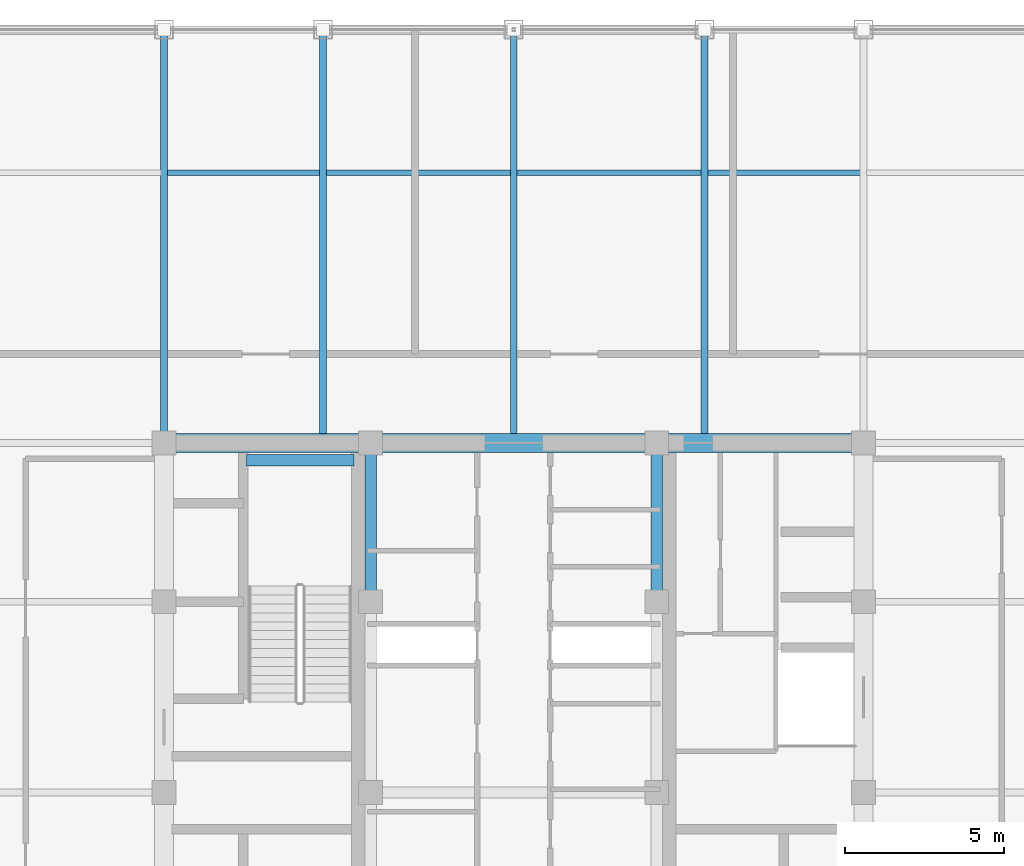
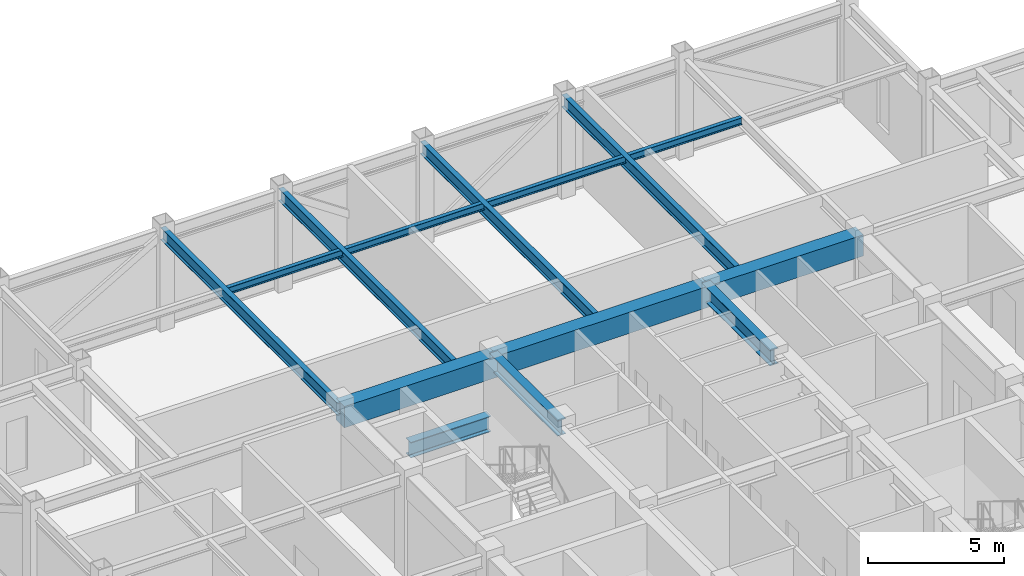
# One storey, part 15 of 27: 11 beams.
"""IFC4 building model written with IfcOpenShell, lengths in metres."""

import ifcopenshell
import ifcopenshell.guid

model = None  # the IFC model being written
_history = None  # IfcOwnerHistory: only IFC2X3 demands one
_inside = {}  # id of a spatial element -> (the spatial element, [elements in it])
_under = {}  # id of a project, library or spatial element -> (it, [spatial elements below it])
_declared = {}  # id of a project -> (the project, [libraries it declares])
_typed = {}  # id of a type object -> (the type object, [elements of that type])
_made_of = {}  # id of a material, layer set ... -> (it, [elements and type objects made of it])


def new_model(schema):
    """Start an empty IFC model of exactly this schema.

    Asked for "IFC4X3", IfcOpenShell would pick the latest addendum, in which some entities
    have other attributes; the version numbers below select the first issue.
    IFC2X3 requires an IfcOwnerHistory on every rooted entity: one is made here for all.
    """
    global model, _history
    if schema == "IFC4X3":
        model = ifcopenshell.file(schema_version=(4, 3, 0, 0))
    else:
        model = ifcopenshell.file(schema=schema)
    _inside.clear()
    _under.clear()
    _declared.clear()
    _typed.clear()
    _made_of.clear()
    _history = None
    if model.schema == "IFC2X3":
        org = make("IfcOrganization", Name="unknown")
        user = make(
            "IfcPersonAndOrganization",
            ThePerson=make("IfcPerson", FamilyName="unknown"),
            TheOrganization=org,
        )
        app = make(
            "IfcApplication",
            ApplicationDeveloper=org,
            Version="unknown",
            ApplicationFullName="unknown",
            ApplicationIdentifier="unknown",
        )
        _history = make(
            "IfcOwnerHistory",
            OwningUser=user,
            OwningApplication=app,
            ChangeAction="ADDED",
            CreationDate=0,
        )
    return model


def make(cls, **values):
    """One entity of the class cls with the attributes given. An attribute that is None is left unset."""
    return model.create_entity(
        cls, **{name: value for name, value in values.items() if value is not None}
    )


def rooted(cls, **values):
    """An entity with a GlobalId (a new one), such as an element, a storey or a relation."""
    return make(cls, GlobalId=ifcopenshell.guid.new(), OwnerHistory=_history, **values)


def si_unit(unit_type, name, prefix=None):
    """IfcSIUnit, for example si_unit("LENGTHUNIT", "METRE", prefix="MILLI")."""
    return make("IfcSIUnit", UnitType=unit_type, Prefix=prefix, Name=name)


def assignment(units):
    """IfcUnitAssignment: the units of a project."""
    return None if units is None else make("IfcUnitAssignment", Units=units)


def point(xyz):
    """IfcCartesianPoint."""
    return None if xyz is None else make("IfcCartesianPoint", Coordinates=xyz)


def direction(xyz):
    """IfcDirection."""
    return None if xyz is None else make("IfcDirection", DirectionRatios=xyz)


def frame(location, z_axis=None, x_axis=None):
    """IfcAxis2Placement3D, a coordinate frame: its origin and axes. An axis left out is left unset."""
    return make(
        "IfcAxis2Placement3D",
        Location=point(location),
        Axis=direction(z_axis),
        RefDirection=direction(x_axis),
    )


def frame_2d(location, x_axis=None):
    """IfcAxis2Placement2D, a coordinate frame in the plane: its origin and x axis."""
    return make(
        "IfcAxis2Placement2D", Location=point(location), RefDirection=direction(x_axis)
    )


def origin():
    """The frame at (0, 0, 0) with its axes left unset."""
    return frame((0.0, 0.0, 0.0))


def origin_2d():
    """The frame at (0, 0) in the plane with its x axis left unset."""
    return frame_2d((0.0, 0.0))


def place(relative_to, where):
    """IfcLocalPlacement: puts the frame where relative to a parent placement (None: the world)."""
    return make(
        "IfcLocalPlacement", PlacementRelTo=relative_to, RelativePlacement=where
    )


def context(
    kind, dimensions, precision=None, world=None, true_north=None, identifier=None
):
    """IfcGeometricRepresentationContext, for example the 3D "Model" context."""
    return make(
        "IfcGeometricRepresentationContext",
        ContextIdentifier=identifier,
        ContextType=kind,
        CoordinateSpaceDimension=dimensions,
        Precision=precision,
        WorldCoordinateSystem=world,
        TrueNorth=true_north,
    )


def subcontext(parent, identifier, kind, view, scale=None):
    """IfcGeometricRepresentationSubContext, for example "Body" below "Model"."""
    return make(
        "IfcGeometricRepresentationSubContext",
        ContextIdentifier=identifier,
        ContextType=kind,
        ParentContext=parent,
        TargetScale=scale,
        TargetView=view,
    )


def project(units=None, contexts=None):
    """IfcProject with its units and contexts."""
    return rooted(
        "IfcProject",
        Name="project",
        RepresentationContexts=contexts,
        UnitsInContext=assignment(units),
    )


def spatial(cls, under=None, at=None, **own):
    """A site, building, storey or space (cls), placed at a placement, below another one or the project."""
    s = rooted(cls, ObjectPlacement=at, **own)
    if under is not None:
        _under.setdefault(under.id(), (under, []))[1].append(s)
    return s


def profile(cls, at=None, kind="AREA", **sizes):
    """A parametric profile (cls). Its sizes go by their IFC names, for example OverallWidth=200.0."""
    return make(cls, ProfileType=kind, Position=at, **sizes)


def rectangle(**sizes):
    """IfcRectangleProfileDef."""
    return profile("IfcRectangleProfileDef", **sizes)


def i_section(**sizes):
    """IfcIShapeProfileDef."""
    return profile("IfcIShapeProfileDef", **sizes)


def extrude(swept, where, along, depth):
    """IfcExtrudedAreaSolid: the profile swept, set in the frame where, extruded along a direction by depth."""
    return make(
        "IfcExtrudedAreaSolid",
        SweptArea=swept,
        Position=where,
        ExtrudedDirection=direction(along),
        Depth=depth,
    )


def shape(context_of_items, identifier, shape_type, items):
    """IfcShapeRepresentation: the items that make up one representation, for example the "Body"."""
    return make(
        "IfcShapeRepresentation",
        ContextOfItems=context_of_items,
        RepresentationIdentifier=identifier,
        RepresentationType=shape_type,
        Items=items,
    )


def source(mapping_origin, context_of_items, identifier, shape_type, items):
    """IfcRepresentationMap: a shape defined once, which mapped items show again and again."""
    return make(
        "IfcRepresentationMap",
        MappingOrigin=mapping_origin,
        MappedRepresentation=shape(context_of_items, identifier, shape_type, items),
    )


def transform(
    local_origin,
    x_axis=None,
    y_axis=None,
    z_axis=None,
    scale=None,
    scale2=None,
    scale3=None,
    uniform=True,
):
    """IfcCartesianTransformationOperator3D, or its non-uniform kind. x_axis, y_axis, z_axis: its Axis1, 2, 3."""
    if uniform:
        return make(
            "IfcCartesianTransformationOperator3D",
            Axis1=direction(x_axis),
            Axis2=direction(y_axis),
            LocalOrigin=point(local_origin),
            Scale=scale,
            Axis3=direction(z_axis),
        )
    return make(
        "IfcCartesianTransformationOperator3DnonUniform",
        Axis1=direction(x_axis),
        Axis2=direction(y_axis),
        LocalOrigin=point(local_origin),
        Scale=scale,
        Axis3=direction(z_axis),
        Scale2=scale2,
        Scale3=scale3,
    )


def mapped(mapping_source, mapping_target):
    """IfcMappedItem: shows the shape of a source again, moved by a transform."""
    return make(
        "IfcMappedItem", MappingSource=mapping_source, MappingTarget=mapping_target
    )


def material(Name=None, Category=None):
    """IfcMaterial."""
    return make("IfcMaterial", Name=Name, Category=Category)


def material_profile(
    of_material, cross_section, Name=None, Category=None, Priority=None
):
    """IfcMaterialProfile: a cross section and its material."""
    return make(
        "IfcMaterialProfile",
        Name=Name,
        Material=of_material,
        Profile=cross_section,
        Priority=Priority,
        Category=Category,
    )


def profile_set(profiles, Name=None, composite=None):
    """IfcMaterialProfileSet."""
    return make(
        "IfcMaterialProfileSet",
        Name=Name,
        MaterialProfiles=profiles,
        CompositeProfile=composite,
    )


def made_of(thing, what):
    """Note that an element or type object is made of a material, layer set ...; save() writes the relation."""
    if what is not None:
        _made_of.setdefault(what.id(), (what, []))[1].append(thing)
    return thing


def type_object(cls, material=None, **own):
    """A type object (cls), such as IfcWallType, which elements share."""
    return made_of(rooted(cls, **own), material)


def element(
    cls,
    number,
    at=None,
    inside=None,
    cuts=None,
    type_object=None,
    material=None,
    context=None,
    identifier="Body",
    shape_type=None,
    held_by="IfcProductDefinitionShape",
    body=None,
    shapes=None,
    **own,
):
    """One element of the class cls, such as IfcWall. Its Tag is "e" and its number.

    at: its placement. inside: the storey or other place that contains it. cuts: it is an
    opening in that element (IfcRelVoidsElement). A single representation is given by context,
    identifier, shape_type and body (its items); several are given by shapes. held_by: the class
    of the entity that holds the representations. save() writes the other relations.
    """
    e = rooted(cls, Tag="e%d" % number, ObjectPlacement=at, **own)
    if body is not None:
        shapes = [shape(context, identifier, shape_type, body)]
    if shapes is not None:
        e.Representation = make(held_by, Representations=shapes)
    if inside is not None:
        _inside.setdefault(inside.id(), (inside, []))[1].append(e)
    if cuts is not None:
        rooted(
            "IfcRelVoidsElement", RelatingBuildingElement=cuts, RelatedOpeningElement=e
        )
    if type_object is not None:
        _typed.setdefault(type_object.id(), (type_object, []))[1].append(e)
    return made_of(e, material)


def aggregate(whole, parts):
    """IfcRelAggregates: a whole, such as a stair, and the parts it consists of."""
    return rooted("IfcRelAggregates", RelatingObject=whole, RelatedObjects=parts)


def save(model, path):
    """Write the relations noted so far, then the file.

    IfcRelAggregates (storeys below a building ...), IfcRelContainedInSpatialStructure (elements
    in a storey), IfcRelDefinesByType, IfcRelAssociatesMaterial and IfcRelDeclares: one each for
    every whole, place, type object, material and project.
    """
    for whole, parts in _under.values():
        aggregate(whole, parts)
    for where, things in _inside.values():
        rooted(
            "IfcRelContainedInSpatialStructure",
            RelatedElements=things,
            RelatingStructure=where,
        )
    for kind, things in _typed.values():
        rooted("IfcRelDefinesByType", RelatedObjects=things, RelatingType=kind)
    for what, things in _made_of.values():
        rooted("IfcRelAssociatesMaterial", RelatedObjects=things, RelatingMaterial=what)
    for by, libraries in _declared.values():
        rooted("IfcRelDeclares", RelatingContext=by, RelatedDefinitions=libraries)
    model.write(path)


model = new_model("IFC4")

# Units and contexts
model_context = context("Model", 3, precision=1e-05, world=origin(), true_north=direction((0.0, 1.0)))
body_context = subcontext(model_context, "Body", "Model", "MODEL_VIEW")
ifc_project = project(units=[si_unit("LENGTHUNIT", "METRE"), si_unit("AREAUNIT", "SQUARE_METRE"), si_unit("VOLUMEUNIT", "CUBIC_METRE"), si_unit("PLANEANGLEUNIT", "RADIAN"), si_unit("MASSUNIT", "GRAM", prefix="KILO")], contexts=[model_context])

# Site, building, storey
site_placement = place(None, origin())
site = spatial("IfcSite", under=ifc_project, at=site_placement, CompositionType="ELEMENT")
building_placement = place(site_placement, origin())
building = spatial("IfcBuilding", under=site, at=building_placement, Name="Khorayat Bourse Tower", CompositionType="ELEMENT")
storey_placement = place(building_placement, frame((0.0, 0.0, 389.89990234375)))
storey = spatial("IfcBuildingStorey", under=building, at=storey_placement, Name="L92", CompositionType="ELEMENT", Elevation=389.89990234375)

# Beams
ifc_material_1 = material(Name="Steel ASTM A992 Grade 50", Category="steel")
ifc_material_profile_1 = material_profile(ifc_material_1, i_section(OverallWidth=0.35498046875, OverallDepth=0.695068359375, WebThickness=0.015380859375, FlangeThickness=0.02490234375, FilletRadius=0.01806640625, at=origin_2d()), Name="W690X217")
ifc_profile_set_1 = profile_set([ifc_material_profile_1], Name="Steel ASTM A992 Grade 50")
beam_type_1 = type_object("IfcBeamType", Name="BM-GIRD-690", PredefinedType="BEAM", material=ifc_profile_set_1)
shared_shape_1 = source(origin(), body_context, "Body", "SweptSolid", [
    extrude(i_section(OverallWidth=0.35498046875, OverallDepth=0.695068359375, WebThickness=0.015380859375, FlangeThickness=0.02490234375, FilletRadius=0.01806640625, at=origin_2d()), origin(), (0.0, 0.0, 1.0), 5.0),
])
for number, where, z_axis, x_axis, name in (
    (1, (-4.5, 6.0, 4.1025390625), (0.0, 1.0, 0.0), (-1.0, 0.0, 0.0), "L92 BM-GIRD-690 BM-L92-CRX-08"),
    (2, (4.5, 6.0, 4.1025390625), (0.0, 1.0, 0.0), (-1.0, 0.0, 0.0), "L92 BM-GIRD-690 BM-L92-CRX-12"),
):
    element("IfcBeam", number, at=place(storey_placement, frame(where, z_axis=z_axis, x_axis=x_axis)), inside=storey, type_object=beam_type_1, Name=name, PredefinedType="BEAM", context=body_context, shape_type="MappedRepresentation", body=[
        mapped(shared_shape_1, transform((0.0, 0.0, 0.0), scale=1.0)),
    ])
shared_shape_2 = source(origin(), body_context, "Body", "SweptSolid", [
    extrude(i_section(OverallWidth=0.35498046875, OverallDepth=0.695068359375, WebThickness=0.015380859375, FlangeThickness=0.02490234375, FilletRadius=0.01806640625, at=origin_2d()), origin(), (0.0, 0.0, 1.0), 3.39990234375),
])
beam_1_placement = place(storey_placement, frame((-8.419921875, 10.449951171875, 1.8525390625), z_axis=(1.0, 0.0, 0.0), x_axis=(0.0, 1.0, 0.0)))
element("IfcBeam", 3, at=beam_1_placement, inside=storey, type_object=beam_type_1, Name="L92 BM-GIRD-690 BM-L92-ST2L", PredefinedType="BEAM", context=body_context, shape_type="MappedRepresentation", body=[
    mapped(shared_shape_2, transform((0.0, 0.0, 0.0), scale=1.0)),
])
ifc_material_2 = material(Name="Concrete C60/75", Category="concrete")
ifc_material_profile_2 = material_profile(ifc_material_2, rectangle(XDim=0.60009765625, YDim=0.949951171875, at=origin_2d()), Name="RC 600x950")
ifc_profile_set_2 = profile_set([ifc_material_profile_2], Name="Concrete C60/75")
beam_type_2 = type_object("IfcBeamType", Name="BM-COUP-950", PredefinedType="BEAM", material=ifc_profile_set_2)
shared_shape_3 = source(origin(), body_context, "Body", "SweptSolid", [
    extrude(rectangle(XDim=0.60009765625, YDim=0.949951171875, at=origin_2d()), origin(), (0.0, 0.0, 1.0), 6.5),
])
for number, where, z_axis, x_axis, name in (
    (4, (-11.0, 11.0, 3.97509765625), (1.0, 0.0, 0.0), (0.0, 1.0, 0.0), "L92 BM-COUP-950 BM-L92-CRY-20"),
    (5, (4.5, 11.0, 3.97509765625), (1.0, 0.0, 0.0), (0.0, 1.0, 0.0), "L92 BM-COUP-950 BM-L92-CRY-22"),
):
    element("IfcBeam", number, at=place(storey_placement, frame(where, z_axis=z_axis, x_axis=x_axis)), inside=storey, type_object=beam_type_2, Name=name, PredefinedType="BEAM", context=body_context, shape_type="MappedRepresentation", body=[
        mapped(shared_shape_3, transform((0.0, 0.0, 0.0), scale=1.0)),
    ])
shared_shape_4 = source(origin(), body_context, "Body", "SweptSolid", [
    extrude(rectangle(XDim=0.60009765625, YDim=0.949951171875, at=origin_2d()), origin(), (0.0, 0.0, 1.0), 9.0),
])
beam_2_placement = place(storey_placement, frame((-4.5, 11.0, 3.97509765625), z_axis=(1.0, 0.0, 0.0), x_axis=(0.0, 1.0, 0.0)))
element("IfcBeam", 6, at=beam_2_placement, inside=storey, type_object=beam_type_2, Name="L92 BM-COUP-950 BM-L92-CRY-21", PredefinedType="BEAM", context=body_context, shape_type="MappedRepresentation", body=[
    mapped(shared_shape_4, transform((0.0, 0.0, 0.0), scale=1.0)),
])
ifc_material_profile_3 = material_profile(ifc_material_1, i_section(OverallWidth=0.214111328125, OverallDepth=0.549072265625, WebThickness=0.0146484375, FlangeThickness=0.023681640625, FilletRadius=0.013916015625, at=origin_2d()), Name="W530X138")
ifc_profile_set_3 = profile_set([ifc_material_profile_3], Name="Steel ASTM A992 Grade 50")
beam_type_3 = type_object("IfcBeamType", Name="BM-GIRD-530", PredefinedType="BEAM", material=ifc_profile_set_3)
shared_shape_5 = source(origin(), body_context, "Body", "SweptSolid", [
    extrude(i_section(OverallWidth=0.214111328125, OverallDepth=0.549072265625, WebThickness=0.0146484375, FlangeThickness=0.023681640625, FilletRadius=0.013916015625, at=origin_2d()), origin(), (0.0, 0.0, 1.0), 13.0),
])
for number, where, z_axis, x_axis, name in (
    (7, (-11.0, 11.0, 4.175537109375), (0.0, 1.0, 0.0), (-1.0, 0.0, 0.0), "L92 BM-GIRD-530 BM-L92-RADY-056"),
    (8, (-6.0, 11.0, 4.175537109375), (0.0, 1.0, 0.0), (-1.0, 0.0, 0.0), "L92 BM-GIRD-530 BM-L92-RADY-058"),
    (9, (0.0, 11.0, 4.175537109375), (0.0, 1.0, 0.0), (-1.0, 0.0, 0.0), "L92 BM-GIRD-530 BM-L92-RADY-060"),
    (10, (6.0, 11.0, 4.175537109375), (0.0, 1.0, 0.0), (-1.0, 0.0, 0.0), "L92 BM-GIRD-530 BM-L92-RADY-062"),
):
    element("IfcBeam", number, at=place(storey_placement, frame(where, z_axis=z_axis, x_axis=x_axis)), inside=storey, type_object=beam_type_3, Name=name, PredefinedType="BEAM", context=body_context, shape_type="MappedRepresentation", body=[
        mapped(shared_shape_5, transform((0.0, 0.0, 0.0), scale=1.0)),
    ])
ifc_material_profile_4 = material_profile(ifc_material_1, i_section(OverallWidth=0.1669921875, OverallDepth=0.31689453125, WebThickness=0.007568359375, FlangeThickness=0.01318359375, FilletRadius=0.010009765625, at=origin_2d()), Name="W310X52")
ifc_profile_set_4 = profile_set([ifc_material_profile_4], Name="Steel ASTM A992 Grade 50")
beam_type_4 = type_object("IfcBeamType", Name="BM-JOIST-310", PredefinedType="JOIST", material=ifc_profile_set_4)
shared_shape_6 = source(origin(), body_context, "Body", "SweptSolid", [
    extrude(i_section(OverallWidth=0.1669921875, OverallDepth=0.31689453125, WebThickness=0.007568359375, FlangeThickness=0.01318359375, FilletRadius=0.010009765625, at=origin_2d()), origin(), (0.0, 0.0, 1.0), 21.81005859375),
])
beam_3_placement = place(storey_placement, frame((-10.905029296875, 19.5, 4.29150390625), z_axis=(1.0, 0.0, 0.0), x_axis=(0.0, 1.0, 0.0)))
element("IfcBeam", 11, at=beam_3_placement, inside=storey, type_object=beam_type_4, Name="L92 BM-JOIST-310 BM-L92-JSTX-088", PredefinedType="JOIST", context=body_context, shape_type="MappedRepresentation", body=[
    mapped(shared_shape_6, transform((0.0, 0.0, 0.0), scale=1.0)),
])

save(model, "model.ifc")
